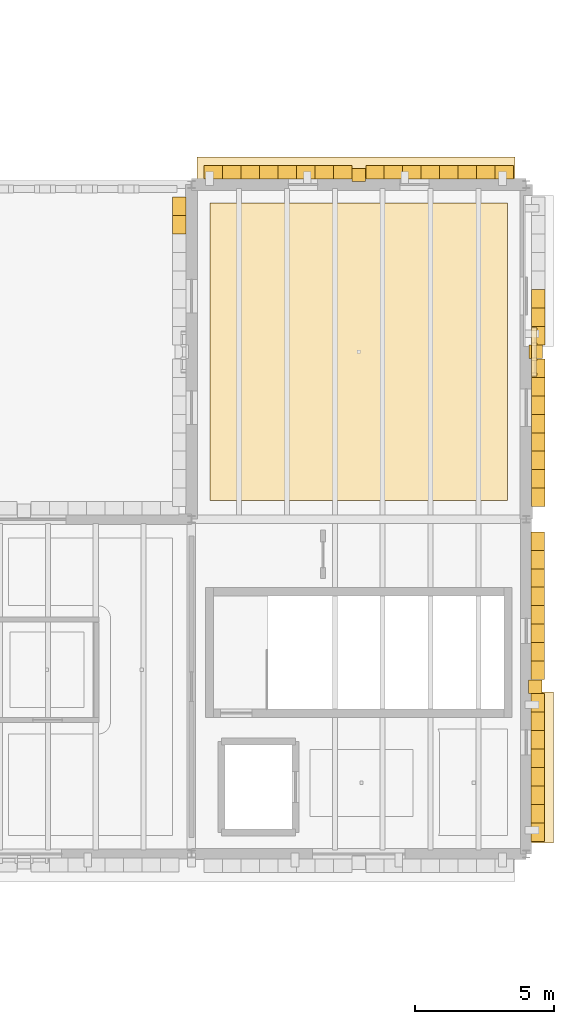
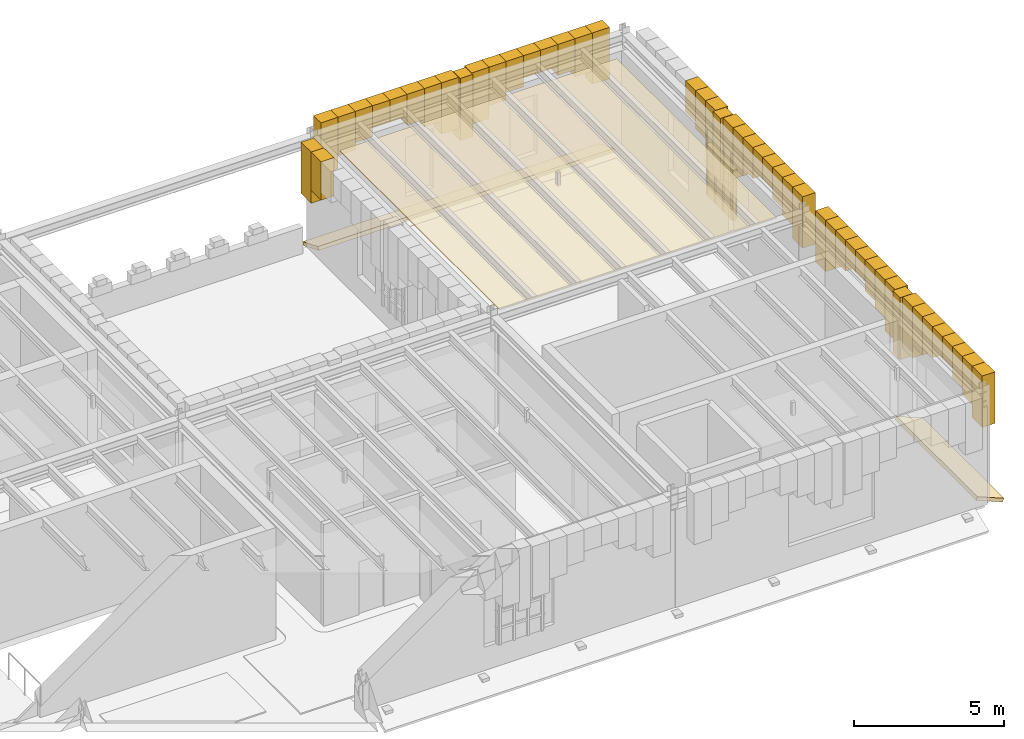
# One storey, part 34 of 35: 58 coverings, 1 shading device.
"""IFC4 building model written with IfcOpenShell, lengths in metres."""

from ifc_helpers import new_model, si_unit, direction, frame, origin, origin_2d, place, context, subcontext, project, spatial, polyline, rectangle, outline, extrude, material, layer, layer_set, type_object, element, save


model = new_model("IFC4")

# Units and contexts
model_context = context("Model", 3, precision=1e-05, world=origin(), true_north=direction((0.0, 1.0)))
body_context = subcontext(model_context, "Body", "Model", "MODEL_VIEW")
ifc_project = project(units=[si_unit("LENGTHUNIT", "METRE"), si_unit("AREAUNIT", "SQUARE_METRE"), si_unit("VOLUMEUNIT", "CUBIC_METRE"), si_unit("PLANEANGLEUNIT", "RADIAN"), si_unit("MASSUNIT", "GRAM", prefix="KILO")], contexts=[model_context])

# Site, building, storey
site_placement = place(None, origin())
site = spatial("IfcSite", under=ifc_project, at=site_placement, CompositionType="ELEMENT")
building_placement = place(site_placement, origin())
building = spatial("IfcBuilding", under=site, at=building_placement, Name="Zlatogorsky Bluff Art Gallery", CompositionType="ELEMENT")
storey_placement = place(building_placement, frame((0.0, 0.0, 23.39990234375)))
storey = spatial("IfcBuildingStorey", under=building, at=storey_placement, Name="L04", CompositionType="ELEMENT", Elevation=23.39990234375)

# Coverings
ifc_material_1 = material(Name="Perforated Gypsum Acoustic Board", Category="gypsum")
ifc_layer_1 = layer(ifc_material_1, 0.0400390625)
ifc_layer_set_1 = layer_set([ifc_layer_1], Name="Acoustic Gallery Ceiling CLG-01")
covering_type_1 = type_object("IfcCoveringType", Name="Acoustic Gallery Ceiling CLG-01", PredefinedType="CEILING", material=ifc_layer_set_1)
covering_1_placement = place(storey_placement, frame((0.0, 0.0, 4.050048828125)))
element("IfcCovering", 1, at=covering_1_placement, inside=storey, type_object=covering_type_1, Name="Art Reference Library acoustic ceiling", PredefinedType="CEILING", context=body_context, shape_type="SweptSolid", body=[
    extrude(outline(polyline([(155.330078125, 107.330078125), (155.330078125, 96.669921875), (144.669921875, 96.669921875), (144.669921875, 107.330078125), (155.330078125, 107.330078125)])), origin(), (0.0, 0.0, 1.0), 0.0400390625),
])
ifc_material_2 = material(Name="Honed Red Agra-Tone Quartzitic Sandstone", Category="masonry")
ifc_layer_2 = layer(ifc_material_2, 0.1201171875)
ifc_layer_set_2 = layer_set([ifc_layer_2], Name="Carved Sandstone Cladding CLD-02")
covering_type_2 = type_object("IfcCoveringType", Name="Carved Sandstone Cladding CLD-02", PredefinedType="CLADDING", material=ifc_layer_set_2)
covering_2_placement = place(storey_placement, frame((0.0, 0.0, 2.22998046875)))
element("IfcCovering", 2, at=covering_2_placement, inside=storey, type_object=covering_type_2, Name="Mughal blind-arch sandstone pilaster L04.E.12.8", PredefinedType="CLADDING", context=body_context, shape_type="SweptSolid", body=[
    extrude(outline(polyline([(156.080078125, 89.760009765625), (156.56005859375, 89.760009765625), (156.56005859375, 90.239990234375), (156.080078125, 90.239990234375), (156.080078125, 89.760009765625)])), origin(), (0.0, 0.0, 1.0), 2.530029296875),
])
covering_3_placement = place(storey_placement, frame((0.0, 0.0, 2.672607421875)))
element("IfcCovering", 3, at=covering_3_placement, inside=storey, type_object=covering_type_2, Name="Pointed Mughal arch voussoir spandrel WARCH-L04-E-12-08-A.1", PredefinedType="CLADDING", context=body_context, shape_type="SweptSolid", body=[
    extrude(outline(polyline([(156.169921875, 84.449951171875), (156.169921875, 85.112548828125), (156.659912109375, 85.112548828125), (156.659912109375, 84.449951171875), (156.169921875, 84.449951171875)])), origin(), (0.0, 0.0, 1.0), 2.08740234375),
])
covering_4_placement = place(storey_placement, frame((0.0, 0.0, 3.203857421875)))
element("IfcCovering", 4, at=covering_4_placement, inside=storey, type_object=covering_type_2, Name="Pointed Mughal arch voussoir spandrel WARCH-L04-E-12-08-A.2", PredefinedType="CLADDING", context=body_context, shape_type="SweptSolid", body=[
    extrude(outline(polyline([(156.169921875, 85.112548828125), (156.169921875, 85.77490234375), (156.659912109375, 85.77490234375), (156.659912109375, 85.112548828125), (156.169921875, 85.112548828125)])), origin(), (0.0, 0.0, 1.0), 1.55615234375),
])
covering_5_placement = place(storey_placement, frame((0.0, 0.0, 3.496826171875)))
element("IfcCovering", 5, at=covering_5_placement, inside=storey, type_object=covering_type_2, Name="Pointed Mughal arch voussoir spandrel WARCH-L04-E-12-08-A.3", PredefinedType="CLADDING", context=body_context, shape_type="SweptSolid", body=[
    extrude(outline(polyline([(156.169921875, 85.77490234375), (156.169921875, 86.4375), (156.659912109375, 86.4375), (156.659912109375, 85.77490234375), (156.169921875, 85.77490234375)])), origin(), (0.0, 0.0, 1.0), 1.26318359375),
])
covering_6_placement = place(storey_placement, frame((0.0, 0.0, 3.865478515625)))
element("IfcCovering", 6, at=covering_6_placement, inside=storey, type_object=covering_type_2, Name="Pointed Mughal arch voussoir spandrel WARCH-L04-E-12-08-A.4", PredefinedType="CLADDING", context=body_context, shape_type="SweptSolid", body=[
    extrude(outline(polyline([(156.169921875, 86.4375), (156.169921875, 87.10009765625), (156.659912109375, 87.10009765625), (156.659912109375, 86.4375), (156.169921875, 86.4375)])), origin(), (0.0, 0.0, 1.0), 0.89453125),
])
covering_7_placement = place(storey_placement, frame((0.0, 0.0, 3.865478515625)))
element("IfcCovering", 7, at=covering_7_placement, inside=storey, type_object=covering_type_2, Name="Pointed Mughal arch voussoir spandrel WARCH-L04-E-12-08-A.5", PredefinedType="CLADDING", context=body_context, shape_type="SweptSolid", body=[
    extrude(outline(polyline([(156.169921875, 87.10009765625), (156.169921875, 87.762451171875), (156.659912109375, 87.762451171875), (156.659912109375, 87.10009765625), (156.169921875, 87.10009765625)])), origin(), (0.0, 0.0, 1.0), 0.89453125),
])
covering_8_placement = place(storey_placement, frame((0.0, 0.0, 3.496826171875)))
element("IfcCovering", 8, at=covering_8_placement, inside=storey, type_object=covering_type_2, Name="Pointed Mughal arch voussoir spandrel WARCH-L04-E-12-08-A.6", PredefinedType="CLADDING", context=body_context, shape_type="SweptSolid", body=[
    extrude(outline(polyline([(156.169921875, 87.762451171875), (156.169921875, 88.425048828125), (156.659912109375, 88.425048828125), (156.659912109375, 87.762451171875), (156.169921875, 87.762451171875)])), origin(), (0.0, 0.0, 1.0), 1.26318359375),
])
covering_9_placement = place(storey_placement, frame((0.0, 0.0, 3.203857421875)))
element("IfcCovering", 9, at=covering_9_placement, inside=storey, type_object=covering_type_2, Name="Pointed Mughal arch voussoir spandrel WARCH-L04-E-12-08-A.7", PredefinedType="CLADDING", context=body_context, shape_type="SweptSolid", body=[
    extrude(outline(polyline([(156.169921875, 88.425048828125), (156.169921875, 89.08740234375), (156.659912109375, 89.08740234375), (156.659912109375, 88.425048828125), (156.169921875, 88.425048828125)])), origin(), (0.0, 0.0, 1.0), 1.55615234375),
])
covering_10_placement = place(storey_placement, frame((0.0, 0.0, 2.672607421875)))
element("IfcCovering", 10, at=covering_10_placement, inside=storey, type_object=covering_type_2, Name="Pointed Mughal arch voussoir spandrel WARCH-L04-E-12-08-A.8", PredefinedType="CLADDING", context=body_context, shape_type="SweptSolid", body=[
    extrude(outline(polyline([(156.169921875, 89.08740234375), (156.169921875, 89.75), (156.659912109375, 89.75), (156.659912109375, 89.08740234375), (156.169921875, 89.08740234375)])), origin(), (0.0, 0.0, 1.0), 2.08740234375),
])
covering_11_placement = place(storey_placement, frame((0.0, 0.0, 2.672607421875)))
element("IfcCovering", 11, at=covering_11_placement, inside=storey, type_object=covering_type_2, Name="Pointed Mughal arch voussoir spandrel WARCH-L04-E-12-08-B.1", PredefinedType="CLADDING", context=body_context, shape_type="SweptSolid", body=[
    extrude(outline(polyline([(156.169921875, 90.25), (156.169921875, 90.91259765625), (156.659912109375, 90.91259765625), (156.659912109375, 90.25), (156.169921875, 90.25)])), origin(), (0.0, 0.0, 1.0), 2.08740234375),
])
covering_12_placement = place(storey_placement, frame((0.0, 0.0, 3.203857421875)))
element("IfcCovering", 12, at=covering_12_placement, inside=storey, type_object=covering_type_2, Name="Pointed Mughal arch voussoir spandrel WARCH-L04-E-12-08-B.2", PredefinedType="CLADDING", context=body_context, shape_type="SweptSolid", body=[
    extrude(outline(polyline([(156.169921875, 90.91259765625), (156.169921875, 91.574951171875), (156.659912109375, 91.574951171875), (156.659912109375, 90.91259765625), (156.169921875, 90.91259765625)])), origin(), (0.0, 0.0, 1.0), 1.55615234375),
])
covering_13_placement = place(storey_placement, frame((0.0, 0.0, 3.496826171875)))
element("IfcCovering", 13, at=covering_13_placement, inside=storey, type_object=covering_type_2, Name="Pointed Mughal arch voussoir spandrel WARCH-L04-E-12-08-B.3", PredefinedType="CLADDING", context=body_context, shape_type="SweptSolid", body=[
    extrude(outline(polyline([(156.169921875, 91.574951171875), (156.169921875, 92.237548828125), (156.659912109375, 92.237548828125), (156.659912109375, 91.574951171875), (156.169921875, 91.574951171875)])), origin(), (0.0, 0.0, 1.0), 1.26318359375),
])
covering_14_placement = place(storey_placement, frame((0.0, 0.0, 3.865478515625)))
element("IfcCovering", 14, at=covering_14_placement, inside=storey, type_object=covering_type_2, Name="Pointed Mughal arch voussoir spandrel WARCH-L04-E-12-08-B.4", PredefinedType="CLADDING", context=body_context, shape_type="SweptSolid", body=[
    extrude(outline(polyline([(156.169921875, 92.237548828125), (156.169921875, 92.89990234375), (156.659912109375, 92.89990234375), (156.659912109375, 92.237548828125), (156.169921875, 92.237548828125)])), origin(), (0.0, 0.0, 1.0), 0.89453125),
])
covering_15_placement = place(storey_placement, frame((0.0, 0.0, 3.865478515625)))
element("IfcCovering", 15, at=covering_15_placement, inside=storey, type_object=covering_type_2, Name="Pointed Mughal arch voussoir spandrel WARCH-L04-E-12-08-B.5", PredefinedType="CLADDING", context=body_context, shape_type="SweptSolid", body=[
    extrude(outline(polyline([(156.169921875, 92.89990234375), (156.169921875, 93.5625), (156.659912109375, 93.5625), (156.659912109375, 92.89990234375), (156.169921875, 92.89990234375)])), origin(), (0.0, 0.0, 1.0), 0.89453125),
])
covering_16_placement = place(storey_placement, frame((0.0, 0.0, 3.496826171875)))
element("IfcCovering", 16, at=covering_16_placement, inside=storey, type_object=covering_type_2, Name="Pointed Mughal arch voussoir spandrel WARCH-L04-E-12-08-B.6", PredefinedType="CLADDING", context=body_context, shape_type="SweptSolid", body=[
    extrude(outline(polyline([(156.169921875, 93.5625), (156.169921875, 94.22509765625), (156.659912109375, 94.22509765625), (156.659912109375, 93.5625), (156.169921875, 93.5625)])), origin(), (0.0, 0.0, 1.0), 1.26318359375),
])
covering_17_placement = place(storey_placement, frame((0.0, 0.0, 3.203857421875)))
element("IfcCovering", 17, at=covering_17_placement, inside=storey, type_object=covering_type_2, Name="Pointed Mughal arch voussoir spandrel WARCH-L04-E-12-08-B.7", PredefinedType="CLADDING", context=body_context, shape_type="SweptSolid", body=[
    extrude(outline(polyline([(156.169921875, 94.22509765625), (156.169921875, 94.887451171875), (156.659912109375, 94.887451171875), (156.659912109375, 94.22509765625), (156.169921875, 94.22509765625)])), origin(), (0.0, 0.0, 1.0), 1.55615234375),
])
covering_18_placement = place(storey_placement, frame((0.0, 0.0, 2.672607421875)))
element("IfcCovering", 18, at=covering_18_placement, inside=storey, type_object=covering_type_2, Name="Pointed Mughal arch voussoir spandrel WARCH-L04-E-12-08-B.8", PredefinedType="CLADDING", context=body_context, shape_type="SweptSolid", body=[
    extrude(outline(polyline([(156.169921875, 94.887451171875), (156.169921875, 95.550048828125), (156.659912109375, 95.550048828125), (156.659912109375, 94.887451171875), (156.169921875, 94.887451171875)])), origin(), (0.0, 0.0, 1.0), 2.08740234375),
])
covering_19_placement = place(storey_placement, frame((0.0, 0.0, 2.22998046875)))
element("IfcCovering", 19, at=covering_19_placement, inside=storey, type_object=covering_type_2, Name="Mughal blind-arch sandstone pilaster L04.N.12.9", PredefinedType="CLADDING", context=body_context, shape_type="SweptSolid", body=[
    extrude(outline(polyline([(149.760009765625, 108.10009765625), (150.239990234375, 108.10009765625), (150.239990234375, 108.580078125), (149.760009765625, 108.580078125), (149.760009765625, 108.10009765625)])), origin(), (0.0, 0.0, 1.0), 2.530029296875),
])
covering_20_placement = place(storey_placement, frame((0.0, 0.0, 2.672607421875)))
element("IfcCovering", 20, at=covering_20_placement, inside=storey, type_object=covering_type_2, Name="Pointed Mughal arch voussoir spandrel WARCH-L04-N-12-09-A.1", PredefinedType="CLADDING", context=body_context, shape_type="SweptSolid", body=[
    extrude(outline(polyline([(144.449951171875, 108.18994140625), (145.112548828125, 108.18994140625), (145.112548828125, 108.679931640625), (144.449951171875, 108.679931640625), (144.449951171875, 108.18994140625)])), origin(), (0.0, 0.0, 1.0), 2.08740234375),
])
covering_21_placement = place(storey_placement, frame((0.0, 0.0, 3.203857421875)))
element("IfcCovering", 21, at=covering_21_placement, inside=storey, type_object=covering_type_2, Name="Pointed Mughal arch voussoir spandrel WARCH-L04-N-12-09-A.2", PredefinedType="CLADDING", context=body_context, shape_type="SweptSolid", body=[
    extrude(outline(polyline([(145.112548828125, 108.18994140625), (145.77490234375, 108.18994140625), (145.77490234375, 108.679931640625), (145.112548828125, 108.679931640625), (145.112548828125, 108.18994140625)])), origin(), (0.0, 0.0, 1.0), 1.55615234375),
])
covering_22_placement = place(storey_placement, frame((0.0, 0.0, 3.496826171875)))
element("IfcCovering", 22, at=covering_22_placement, inside=storey, type_object=covering_type_2, Name="Pointed Mughal arch voussoir spandrel WARCH-L04-N-12-09-A.3", PredefinedType="CLADDING", context=body_context, shape_type="SweptSolid", body=[
    extrude(outline(polyline([(145.77490234375, 108.18994140625), (146.4375, 108.18994140625), (146.4375, 108.679931640625), (145.77490234375, 108.679931640625), (145.77490234375, 108.18994140625)])), origin(), (0.0, 0.0, 1.0), 1.26318359375),
])
covering_23_placement = place(storey_placement, frame((0.0, 0.0, 3.865478515625)))
element("IfcCovering", 23, at=covering_23_placement, inside=storey, type_object=covering_type_2, Name="Pointed Mughal arch voussoir spandrel WARCH-L04-N-12-09-A.4", PredefinedType="CLADDING", context=body_context, shape_type="SweptSolid", body=[
    extrude(outline(polyline([(146.4375, 108.18994140625), (147.10009765625, 108.18994140625), (147.10009765625, 108.679931640625), (146.4375, 108.679931640625), (146.4375, 108.18994140625)])), origin(), (0.0, 0.0, 1.0), 0.89453125),
])
covering_24_placement = place(storey_placement, frame((0.0, 0.0, 3.865478515625)))
element("IfcCovering", 24, at=covering_24_placement, inside=storey, type_object=covering_type_2, Name="Pointed Mughal arch voussoir spandrel WARCH-L04-N-12-09-A.5", PredefinedType="CLADDING", context=body_context, shape_type="SweptSolid", body=[
    extrude(outline(polyline([(147.10009765625, 108.18994140625), (147.762451171875, 108.18994140625), (147.762451171875, 108.679931640625), (147.10009765625, 108.679931640625), (147.10009765625, 108.18994140625)])), origin(), (0.0, 0.0, 1.0), 0.89453125),
])
covering_25_placement = place(storey_placement, frame((0.0, 0.0, 3.496826171875)))
element("IfcCovering", 25, at=covering_25_placement, inside=storey, type_object=covering_type_2, Name="Pointed Mughal arch voussoir spandrel WARCH-L04-N-12-09-A.6", PredefinedType="CLADDING", context=body_context, shape_type="SweptSolid", body=[
    extrude(outline(polyline([(147.762451171875, 108.18994140625), (148.425048828125, 108.18994140625), (148.425048828125, 108.679931640625), (147.762451171875, 108.679931640625), (147.762451171875, 108.18994140625)])), origin(), (0.0, 0.0, 1.0), 1.26318359375),
])
covering_26_placement = place(storey_placement, frame((0.0, 0.0, 3.203857421875)))
element("IfcCovering", 26, at=covering_26_placement, inside=storey, type_object=covering_type_2, Name="Pointed Mughal arch voussoir spandrel WARCH-L04-N-12-09-A.7", PredefinedType="CLADDING", context=body_context, shape_type="SweptSolid", body=[
    extrude(outline(polyline([(148.425048828125, 108.18994140625), (149.08740234375, 108.18994140625), (149.08740234375, 108.679931640625), (148.425048828125, 108.679931640625), (148.425048828125, 108.18994140625)])), origin(), (0.0, 0.0, 1.0), 1.55615234375),
])
covering_27_placement = place(storey_placement, frame((0.0, 0.0, 2.672607421875)))
element("IfcCovering", 27, at=covering_27_placement, inside=storey, type_object=covering_type_2, Name="Pointed Mughal arch voussoir spandrel WARCH-L04-N-12-09-A.8", PredefinedType="CLADDING", context=body_context, shape_type="SweptSolid", body=[
    extrude(outline(polyline([(149.08740234375, 108.18994140625), (149.75, 108.18994140625), (149.75, 108.679931640625), (149.08740234375, 108.679931640625), (149.08740234375, 108.18994140625)])), origin(), (0.0, 0.0, 1.0), 2.08740234375),
])
covering_28_placement = place(storey_placement, frame((0.0, 0.0, 2.672607421875)))
element("IfcCovering", 28, at=covering_28_placement, inside=storey, type_object=covering_type_2, Name="Pointed Mughal arch voussoir spandrel WARCH-L04-N-12-09-B.1", PredefinedType="CLADDING", context=body_context, shape_type="SweptSolid", body=[
    extrude(outline(polyline([(150.25, 108.18994140625), (150.91259765625, 108.18994140625), (150.91259765625, 108.679931640625), (150.25, 108.679931640625), (150.25, 108.18994140625)])), origin(), (0.0, 0.0, 1.0), 2.08740234375),
])
covering_29_placement = place(storey_placement, frame((0.0, 0.0, 3.203857421875)))
element("IfcCovering", 29, at=covering_29_placement, inside=storey, type_object=covering_type_2, Name="Pointed Mughal arch voussoir spandrel WARCH-L04-N-12-09-B.2", PredefinedType="CLADDING", context=body_context, shape_type="SweptSolid", body=[
    extrude(outline(polyline([(150.91259765625, 108.18994140625), (151.574951171875, 108.18994140625), (151.574951171875, 108.679931640625), (150.91259765625, 108.679931640625), (150.91259765625, 108.18994140625)])), origin(), (0.0, 0.0, 1.0), 1.55615234375),
])
covering_30_placement = place(storey_placement, frame((0.0, 0.0, 3.496826171875)))
element("IfcCovering", 30, at=covering_30_placement, inside=storey, type_object=covering_type_2, Name="Pointed Mughal arch voussoir spandrel WARCH-L04-N-12-09-B.3", PredefinedType="CLADDING", context=body_context, shape_type="SweptSolid", body=[
    extrude(outline(polyline([(151.574951171875, 108.18994140625), (152.237548828125, 108.18994140625), (152.237548828125, 108.679931640625), (151.574951171875, 108.679931640625), (151.574951171875, 108.18994140625)])), origin(), (0.0, 0.0, 1.0), 1.26318359375),
])
covering_31_placement = place(storey_placement, frame((0.0, 0.0, 3.865478515625)))
element("IfcCovering", 31, at=covering_31_placement, inside=storey, type_object=covering_type_2, Name="Pointed Mughal arch voussoir spandrel WARCH-L04-N-12-09-B.4", PredefinedType="CLADDING", context=body_context, shape_type="SweptSolid", body=[
    extrude(outline(polyline([(152.237548828125, 108.18994140625), (152.89990234375, 108.18994140625), (152.89990234375, 108.679931640625), (152.237548828125, 108.679931640625), (152.237548828125, 108.18994140625)])), origin(), (0.0, 0.0, 1.0), 0.89453125),
])
covering_32_placement = place(storey_placement, frame((0.0, 0.0, 3.865478515625)))
element("IfcCovering", 32, at=covering_32_placement, inside=storey, type_object=covering_type_2, Name="Pointed Mughal arch voussoir spandrel WARCH-L04-N-12-09-B.5", PredefinedType="CLADDING", context=body_context, shape_type="SweptSolid", body=[
    extrude(outline(polyline([(152.89990234375, 108.18994140625), (153.5625, 108.18994140625), (153.5625, 108.679931640625), (152.89990234375, 108.679931640625), (152.89990234375, 108.18994140625)])), origin(), (0.0, 0.0, 1.0), 0.89453125),
])
covering_33_placement = place(storey_placement, frame((0.0, 0.0, 3.496826171875)))
element("IfcCovering", 33, at=covering_33_placement, inside=storey, type_object=covering_type_2, Name="Pointed Mughal arch voussoir spandrel WARCH-L04-N-12-09-B.6", PredefinedType="CLADDING", context=body_context, shape_type="SweptSolid", body=[
    extrude(outline(polyline([(153.5625, 108.18994140625), (154.22509765625, 108.18994140625), (154.22509765625, 108.679931640625), (153.5625, 108.679931640625), (153.5625, 108.18994140625)])), origin(), (0.0, 0.0, 1.0), 1.26318359375),
])
covering_34_placement = place(storey_placement, frame((0.0, 0.0, 3.203857421875)))
element("IfcCovering", 34, at=covering_34_placement, inside=storey, type_object=covering_type_2, Name="Pointed Mughal arch voussoir spandrel WARCH-L04-N-12-09-B.7", PredefinedType="CLADDING", context=body_context, shape_type="SweptSolid", body=[
    extrude(outline(polyline([(154.22509765625, 108.18994140625), (154.887451171875, 108.18994140625), (154.887451171875, 108.679931640625), (154.22509765625, 108.679931640625), (154.22509765625, 108.18994140625)])), origin(), (0.0, 0.0, 1.0), 1.55615234375),
])
covering_35_placement = place(storey_placement, frame((0.0, 0.0, 2.672607421875)))
element("IfcCovering", 35, at=covering_35_placement, inside=storey, type_object=covering_type_2, Name="Pointed Mughal arch voussoir spandrel WARCH-L04-N-12-09-B.8", PredefinedType="CLADDING", context=body_context, shape_type="SweptSolid", body=[
    extrude(outline(polyline([(154.887451171875, 108.18994140625), (155.550048828125, 108.18994140625), (155.550048828125, 108.679931640625), (154.887451171875, 108.679931640625), (154.887451171875, 108.18994140625)])), origin(), (0.0, 0.0, 1.0), 2.08740234375),
])
covering_36_placement = place(storey_placement, frame((0.0, 0.0, 3.203857421875)))
element("IfcCovering", 36, at=covering_36_placement, inside=storey, type_object=covering_type_2, Name="Pointed Mughal arch voussoir spandrel WARCH-L04-W-12-09-B.7", PredefinedType="CLADDING", context=body_context, shape_type="SweptSolid", body=[
    extrude(outline(polyline([(143.320068359375, 106.22509765625), (143.320068359375, 106.887451171875), (143.81005859375, 106.887451171875), (143.81005859375, 106.22509765625), (143.320068359375, 106.22509765625)])), origin(), (0.0, 0.0, 1.0), 1.55615234375),
])
covering_37_placement = place(storey_placement, frame((0.0, 0.0, 2.672607421875)))
element("IfcCovering", 37, at=covering_37_placement, inside=storey, type_object=covering_type_2, Name="Pointed Mughal arch voussoir spandrel WARCH-L04-W-12-09-B.8", PredefinedType="CLADDING", context=body_context, shape_type="SweptSolid", body=[
    extrude(outline(polyline([(143.320068359375, 106.887451171875), (143.320068359375, 107.550048828125), (143.81005859375, 107.550048828125), (143.81005859375, 106.887451171875), (143.320068359375, 106.887451171875)])), origin(), (0.0, 0.0, 1.0), 2.08740234375),
])
covering_38_placement = place(storey_placement, frame((0.0, 0.0, 2.22998046875)))
element("IfcCovering", 38, at=covering_38_placement, inside=storey, type_object=covering_type_2, Name="Mughal blind-arch sandstone pilaster L04.E.12.9", PredefinedType="CLADDING", context=body_context, shape_type="SweptSolid", body=[
    extrude(outline(polyline([(156.10009765625, 101.760009765625), (156.580078125, 101.760009765625), (156.580078125, 102.239990234375), (156.10009765625, 102.239990234375), (156.10009765625, 101.760009765625)])), origin(), (0.0, 0.0, 1.0), 2.530029296875),
])
covering_39_placement = place(storey_placement, frame((0.0, 0.0, 2.672607421875)))
element("IfcCovering", 39, at=covering_39_placement, inside=storey, type_object=covering_type_2, Name="Pointed Mughal arch voussoir spandrel WARCH-L04-E-12-09-A.1", PredefinedType="CLADDING", context=body_context, shape_type="SweptSolid", body=[
    extrude(outline(polyline([(156.18994140625, 96.449951171875), (156.18994140625, 97.112548828125), (156.679931640625, 97.112548828125), (156.679931640625, 96.449951171875), (156.18994140625, 96.449951171875)])), origin(), (0.0, 0.0, 1.0), 2.08740234375),
])
covering_40_placement = place(storey_placement, frame((0.0, 0.0, 3.203857421875)))
element("IfcCovering", 40, at=covering_40_placement, inside=storey, type_object=covering_type_2, Name="Pointed Mughal arch voussoir spandrel WARCH-L04-E-12-09-A.2", PredefinedType="CLADDING", context=body_context, shape_type="SweptSolid", body=[
    extrude(outline(polyline([(156.18994140625, 97.112548828125), (156.18994140625, 97.77490234375), (156.679931640625, 97.77490234375), (156.679931640625, 97.112548828125), (156.18994140625, 97.112548828125)])), origin(), (0.0, 0.0, 1.0), 1.55615234375),
])
covering_41_placement = place(storey_placement, frame((0.0, 0.0, 3.496826171875)))
element("IfcCovering", 41, at=covering_41_placement, inside=storey, type_object=covering_type_2, Name="Pointed Mughal arch voussoir spandrel WARCH-L04-E-12-09-A.3", PredefinedType="CLADDING", context=body_context, shape_type="SweptSolid", body=[
    extrude(outline(polyline([(156.18994140625, 97.77490234375), (156.18994140625, 98.4375), (156.679931640625, 98.4375), (156.679931640625, 97.77490234375), (156.18994140625, 97.77490234375)])), origin(), (0.0, 0.0, 1.0), 1.26318359375),
])
covering_42_placement = place(storey_placement, frame((0.0, 0.0, 3.865478515625)))
element("IfcCovering", 42, at=covering_42_placement, inside=storey, type_object=covering_type_2, Name="Pointed Mughal arch voussoir spandrel WARCH-L04-E-12-09-A.4", PredefinedType="CLADDING", context=body_context, shape_type="SweptSolid", body=[
    extrude(outline(polyline([(156.18994140625, 98.4375), (156.18994140625, 99.10009765625), (156.679931640625, 99.10009765625), (156.679931640625, 98.4375), (156.18994140625, 98.4375)])), origin(), (0.0, 0.0, 1.0), 0.89453125),
])
covering_43_placement = place(storey_placement, frame((0.0, 0.0, 3.865478515625)))
element("IfcCovering", 43, at=covering_43_placement, inside=storey, type_object=covering_type_2, Name="Pointed Mughal arch voussoir spandrel WARCH-L04-E-12-09-A.5", PredefinedType="CLADDING", context=body_context, shape_type="SweptSolid", body=[
    extrude(outline(polyline([(156.18994140625, 99.10009765625), (156.18994140625, 99.762451171875), (156.679931640625, 99.762451171875), (156.679931640625, 99.10009765625), (156.18994140625, 99.10009765625)])), origin(), (0.0, 0.0, 1.0), 0.89453125),
])
covering_44_placement = place(storey_placement, frame((0.0, 0.0, 3.496826171875)))
element("IfcCovering", 44, at=covering_44_placement, inside=storey, type_object=covering_type_2, Name="Pointed Mughal arch voussoir spandrel WARCH-L04-E-12-09-A.6", PredefinedType="CLADDING", context=body_context, shape_type="SweptSolid", body=[
    extrude(outline(polyline([(156.18994140625, 99.762451171875), (156.18994140625, 100.425048828125), (156.679931640625, 100.425048828125), (156.679931640625, 99.762451171875), (156.18994140625, 99.762451171875)])), origin(), (0.0, 0.0, 1.0), 1.26318359375),
])
covering_45_placement = place(storey_placement, frame((0.0, 0.0, 3.203857421875)))
element("IfcCovering", 45, at=covering_45_placement, inside=storey, type_object=covering_type_2, Name="Pointed Mughal arch voussoir spandrel WARCH-L04-E-12-09-A.7", PredefinedType="CLADDING", context=body_context, shape_type="SweptSolid", body=[
    extrude(outline(polyline([(156.18994140625, 100.425048828125), (156.18994140625, 101.08740234375), (156.679931640625, 101.08740234375), (156.679931640625, 100.425048828125), (156.18994140625, 100.425048828125)])), origin(), (0.0, 0.0, 1.0), 1.55615234375),
])
covering_46_placement = place(storey_placement, frame((0.0, 0.0, 2.672607421875)))
element("IfcCovering", 46, at=covering_46_placement, inside=storey, type_object=covering_type_2, Name="Pointed Mughal arch voussoir spandrel WARCH-L04-E-12-09-A.8", PredefinedType="CLADDING", context=body_context, shape_type="SweptSolid", body=[
    extrude(outline(polyline([(156.18994140625, 101.08740234375), (156.18994140625, 101.75), (156.679931640625, 101.75), (156.679931640625, 101.08740234375), (156.18994140625, 101.08740234375)])), origin(), (0.0, 0.0, 1.0), 2.08740234375),
])
covering_47_placement = place(storey_placement, frame((0.0, 0.0, 2.672607421875)))
element("IfcCovering", 47, at=covering_47_placement, inside=storey, type_object=covering_type_2, Name="Pointed Mughal arch voussoir spandrel WARCH-L04-E-12-09-B.1", PredefinedType="CLADDING", context=body_context, shape_type="SweptSolid", body=[
    extrude(outline(polyline([(156.18994140625, 102.25), (156.18994140625, 102.91259765625), (156.679931640625, 102.91259765625), (156.679931640625, 102.25), (156.18994140625, 102.25)])), origin(), (0.0, 0.0, 1.0), 2.08740234375),
])
covering_48_placement = place(storey_placement, frame((0.0, 0.0, 3.203857421875)))
element("IfcCovering", 48, at=covering_48_placement, inside=storey, type_object=covering_type_2, Name="Pointed Mughal arch voussoir spandrel WARCH-L04-E-12-09-B.2", PredefinedType="CLADDING", context=body_context, shape_type="SweptSolid", body=[
    extrude(outline(polyline([(156.18994140625, 102.91259765625), (156.18994140625, 103.574951171875), (156.679931640625, 103.574951171875), (156.679931640625, 102.91259765625), (156.18994140625, 102.91259765625)])), origin(), (0.0, 0.0, 1.0), 1.55615234375),
])
covering_49_placement = place(storey_placement, frame((0.0, 0.0, 3.496826171875)))
element("IfcCovering", 49, at=covering_49_placement, inside=storey, type_object=covering_type_2, Name="Pointed Mughal arch voussoir spandrel WARCH-L04-E-12-09-B.3", PredefinedType="CLADDING", context=body_context, shape_type="SweptSolid", body=[
    extrude(outline(polyline([(156.18994140625, 103.574951171875), (156.18994140625, 104.237548828125), (156.679931640625, 104.237548828125), (156.679931640625, 103.574951171875), (156.18994140625, 103.574951171875)])), origin(), (0.0, 0.0, 1.0), 1.26318359375),
])
covering_50_placement = place(storey_placement, frame((0.0, 0.0, 0.9501953125)))
element("IfcCovering", 50, at=covering_50_placement, inside=storey, type_object=covering_type_2, Name="Pierced sandstone jali lattice bar L04.E.12.9", PredefinedType="CLADDING", context=body_context, shape_type="SweptSolid", body=[
    extrude(outline(polyline([(156.18994140625, 101.14501953125), (156.18994140625, 101.235107421875), (156.3798828125, 101.235107421875), (156.3798828125, 101.14501953125), (156.18994140625, 101.14501953125)])), origin(), (0.0, 0.0, 1.0), 2.699951171875),
])
covering_51_placement = place(storey_placement, frame((0.0, 0.0, 0.9501953125)))
element("IfcCovering", 51, at=covering_51_placement, inside=storey, type_object=covering_type_2, Name="Pierced sandstone jali lattice bar L04.E.12.9", PredefinedType="CLADDING", context=body_context, shape_type="SweptSolid", body=[
    extrude(outline(polyline([(156.18994140625, 101.68505859375), (156.18994140625, 101.77490234375), (156.3798828125, 101.77490234375), (156.3798828125, 101.68505859375), (156.18994140625, 101.68505859375)])), origin(), (0.0, 0.0, 1.0), 2.699951171875),
])
covering_52_placement = place(storey_placement, frame((0.0, 0.0, 0.9501953125)))
element("IfcCovering", 52, at=covering_52_placement, inside=storey, type_object=covering_type_2, Name="Pierced sandstone jali lattice bar L04.E.12.9", PredefinedType="CLADDING", context=body_context, shape_type="SweptSolid", body=[
    extrude(outline(polyline([(156.18994140625, 102.22509765625), (156.18994140625, 102.31494140625), (156.3798828125, 102.31494140625), (156.3798828125, 102.22509765625), (156.18994140625, 102.22509765625)])), origin(), (0.0, 0.0, 1.0), 2.699951171875),
])
covering_53_placement = place(storey_placement, frame((0.0, 0.0, 0.9501953125)))
element("IfcCovering", 53, at=covering_53_placement, inside=storey, type_object=covering_type_2, Name="Pierced sandstone jali lattice bar L04.E.12.9", PredefinedType="CLADDING", context=body_context, shape_type="SweptSolid", body=[
    extrude(outline(polyline([(156.18994140625, 102.764892578125), (156.18994140625, 102.85498046875), (156.3798828125, 102.85498046875), (156.3798828125, 102.764892578125), (156.18994140625, 102.764892578125)])), origin(), (0.0, 0.0, 1.0), 2.699951171875),
])
covering_54_placement = place(storey_placement, frame((0.0, 0.0, 1.585205078125)))
element("IfcCovering", 54, at=covering_54_placement, inside=storey, type_object=covering_type_2, Name="Pierced sandstone jali lattice transom L04.E.12.9", PredefinedType="CLADDING", context=body_context, shape_type="SweptSolid", body=[
    extrude(outline(polyline([(156.18994140625, 101.10009765625), (156.18994140625, 102.89990234375), (156.3798828125, 102.89990234375), (156.3798828125, 101.10009765625), (156.18994140625, 101.10009765625)])), origin(), (0.0, 0.0, 1.0), 0.079833984375),
])
for number, where, name in (
    (55, (0.0, 0.0, 2.260009765625), "Pierced sandstone jali lattice transom L04.E.12.9"),
    (56, (0.0, 0.0, 2.93505859375), "Pierced sandstone jali lattice transom L04.E.12.9"),
):
    element("IfcCovering", number, at=place(storey_placement, frame(where)), inside=storey, type_object=covering_type_2, Name=name, PredefinedType="CLADDING", context=body_context, shape_type="SweptSolid", body=[
        extrude(outline(polyline([(156.18994140625, 101.10009765625), (156.18994140625, 102.89990234375), (156.3798828125, 102.89990234375), (156.3798828125, 101.10009765625), (156.18994140625, 101.10009765625)])), origin(), (0.0, 0.0, 1.0), 0.080078125),
    ])
covering_55_placement = place(storey_placement, frame((144.199951171875, 107.9599609375, -0.039794921875), z_axis=(0.0, 0.380872241927, 0.924627673893), x_axis=(1.0, 0.0, 0.0)))
element("IfcCovering", 57, at=covering_55_placement, inside=storey, type_object=covering_type_2, Name="Projecting sloped Mughal chhajja stone eave CHJ-NE-N-L04B", PredefinedType="CLADDING", context=body_context, shape_type="SweptSolid", body=[
    extrude(outline(polyline([(0.0, 0.0), (11.400146484375, 0.0), (11.400146484375, 1.1031678588581422), (0.0, 1.1031678588581422), (0.0, 0.0)])), origin(), (0.0, 0.0, -1.0), 0.139892578125),
])
covering_56_placement = place(storey_placement, frame((155.9599609375, 89.800048828125, -0.039794921875), z_axis=(0.380872241927, 0.0, 0.924627673893), x_axis=(0.0, -1.0, 0.0)))
element("IfcCovering", 58, at=covering_56_placement, inside=storey, type_object=covering_type_2, Name="Projecting sloped Mughal chhajja stone eave CHJ-NE-E-L04A", PredefinedType="CLADDING", context=body_context, shape_type="SweptSolid", body=[
    extrude(outline(polyline([(0.0, 0.0), (5.400146484375, 0.0), (5.400146484375, 1.1031678588581422), (0.0, 1.1031678588581422), (0.0, 0.0)])), origin(), (0.0, 0.0, -1.0), 0.139892578125),
])

# Shading device
ifc_material_3 = material(Name="CNC-Pierced Red Quartzitic Sandstone Jali", Category="masonry")
shading_device_type = type_object("IfcShadingDeviceType", Name="Pierced Stone Jali Screen JAL-02", PredefinedType="JALOUSIE", material=ifc_material_3)
shading_device_placement = place(storey_placement, frame((156.260009765625, 102.0, 0.9501953125), z_axis=(0.0, 0.0, 1.0), x_axis=(1.0, 0.0, 0.0)))
element("IfcShadingDevice", 59, at=shading_device_placement, inside=storey, type_object=shading_device_type, Name="Pierced stone jali screen JAL-02", PredefinedType="JALOUSIE", context=body_context, shape_type="SweptSolid", body=[
    extrude(rectangle(XDim=0.1201171875, YDim=1.800048828125, at=origin_2d()), origin(), (0.0, 0.0, 1.0), 2.699951171875),
])

save(model, "model.ifc")
